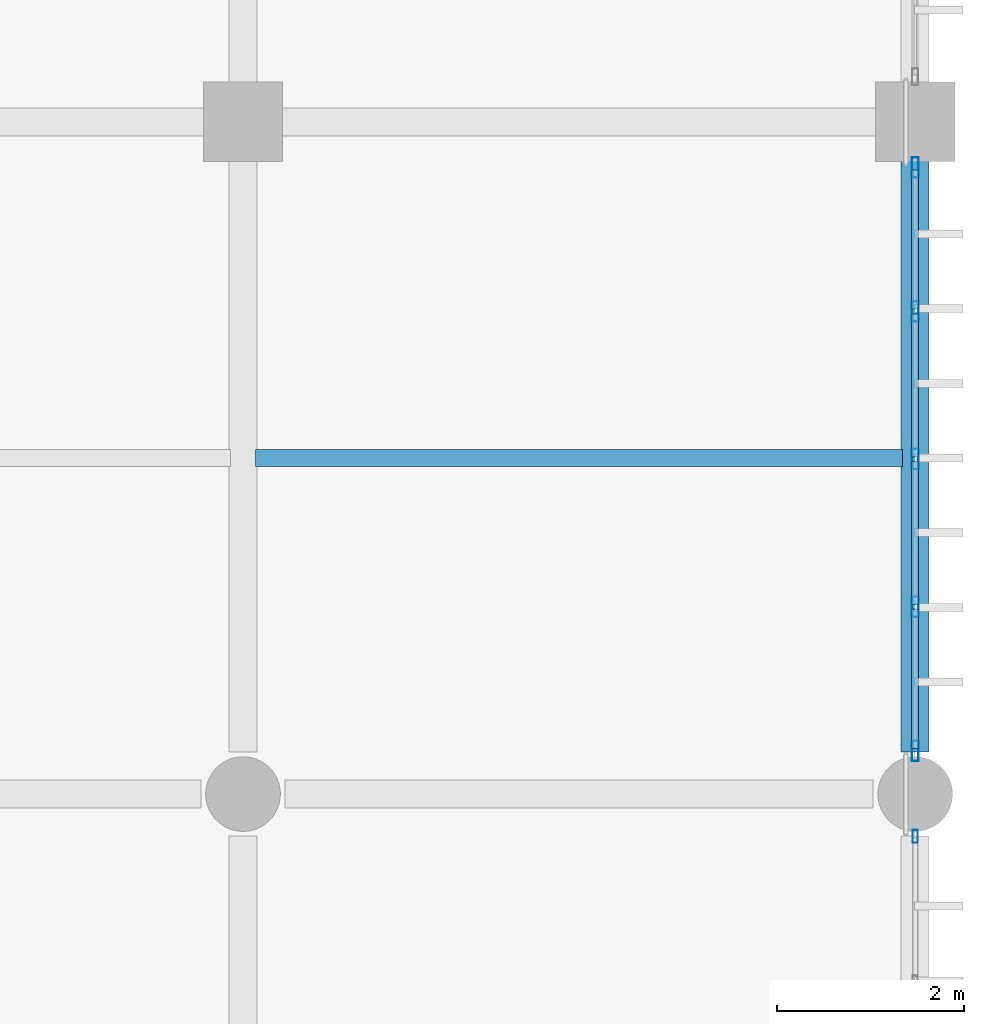
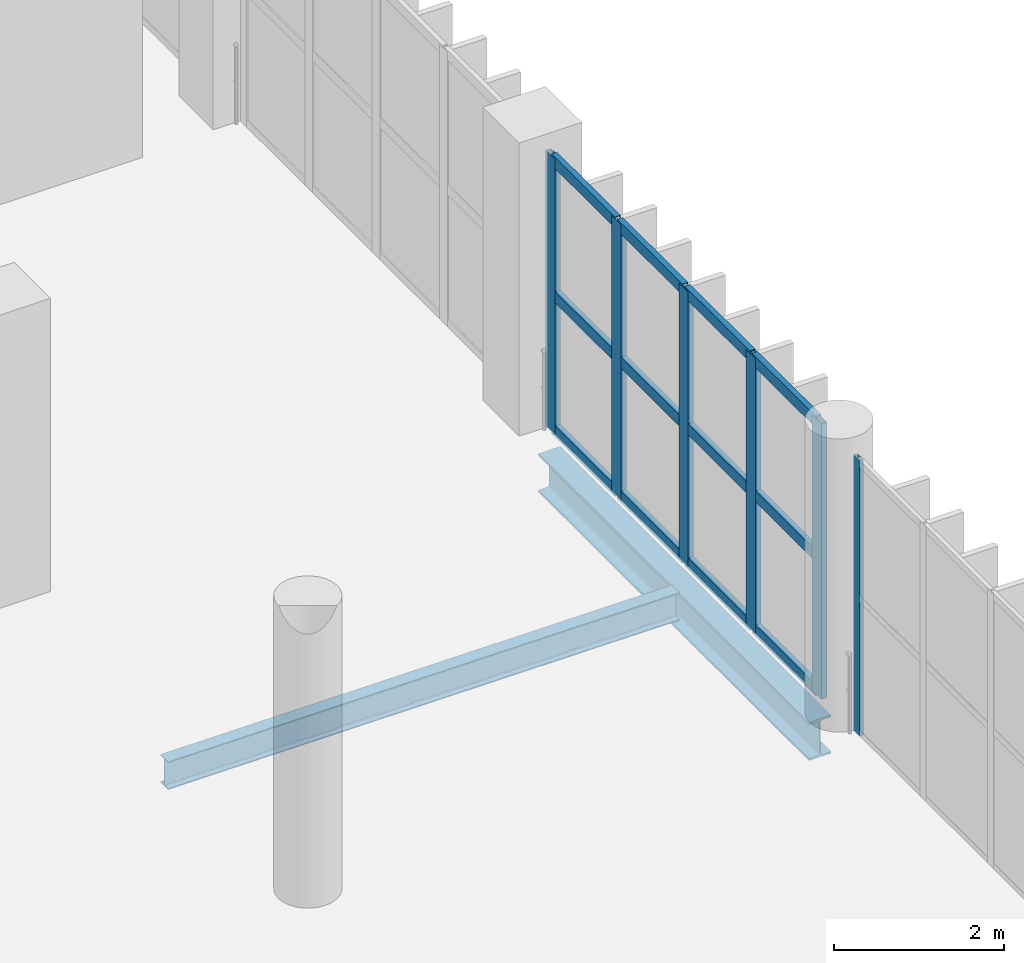
# One storey, part 86 of 153: 18 members, 2 beams, 2 elements without a shape of their own.
"""IFC4 building model written with IfcOpenShell, lengths in metres."""

import ifcopenshell
import ifcopenshell.guid

model = None  # the IFC model being written
_history = None  # IfcOwnerHistory: only IFC2X3 demands one
_inside = {}  # id of a spatial element -> (the spatial element, [elements in it])
_under = {}  # id of a project, library or spatial element -> (it, [spatial elements below it])
_declared = {}  # id of a project -> (the project, [libraries it declares])
_typed = {}  # id of a type object -> (the type object, [elements of that type])
_made_of = {}  # id of a material, layer set ... -> (it, [elements and type objects made of it])


def new_model(schema):
    """Start an empty IFC model of exactly this schema.

    Asked for "IFC4X3", IfcOpenShell would pick the latest addendum, in which some entities
    have other attributes; the version numbers below select the first issue.
    IFC2X3 requires an IfcOwnerHistory on every rooted entity: one is made here for all.
    """
    global model, _history
    if schema == "IFC4X3":
        model = ifcopenshell.file(schema_version=(4, 3, 0, 0))
    else:
        model = ifcopenshell.file(schema=schema)
    _inside.clear()
    _under.clear()
    _declared.clear()
    _typed.clear()
    _made_of.clear()
    _history = None
    if model.schema == "IFC2X3":
        org = make("IfcOrganization", Name="unknown")
        user = make(
            "IfcPersonAndOrganization",
            ThePerson=make("IfcPerson", FamilyName="unknown"),
            TheOrganization=org,
        )
        app = make(
            "IfcApplication",
            ApplicationDeveloper=org,
            Version="unknown",
            ApplicationFullName="unknown",
            ApplicationIdentifier="unknown",
        )
        _history = make(
            "IfcOwnerHistory",
            OwningUser=user,
            OwningApplication=app,
            ChangeAction="ADDED",
            CreationDate=0,
        )
    return model


def make(cls, **values):
    """One entity of the class cls with the attributes given. An attribute that is None is left unset."""
    return model.create_entity(
        cls, **{name: value for name, value in values.items() if value is not None}
    )


def rooted(cls, **values):
    """An entity with a GlobalId (a new one), such as an element, a storey or a relation."""
    return make(cls, GlobalId=ifcopenshell.guid.new(), OwnerHistory=_history, **values)


def si_unit(unit_type, name, prefix=None):
    """IfcSIUnit, for example si_unit("LENGTHUNIT", "METRE", prefix="MILLI")."""
    return make("IfcSIUnit", UnitType=unit_type, Prefix=prefix, Name=name)


def assignment(units):
    """IfcUnitAssignment: the units of a project."""
    return None if units is None else make("IfcUnitAssignment", Units=units)


def point(xyz):
    """IfcCartesianPoint."""
    return None if xyz is None else make("IfcCartesianPoint", Coordinates=xyz)


def direction(xyz):
    """IfcDirection."""
    return None if xyz is None else make("IfcDirection", DirectionRatios=xyz)


def frame(location, z_axis=None, x_axis=None):
    """IfcAxis2Placement3D, a coordinate frame: its origin and axes. An axis left out is left unset."""
    return make(
        "IfcAxis2Placement3D",
        Location=point(location),
        Axis=direction(z_axis),
        RefDirection=direction(x_axis),
    )


def frame_2d(location, x_axis=None):
    """IfcAxis2Placement2D, a coordinate frame in the plane: its origin and x axis."""
    return make(
        "IfcAxis2Placement2D", Location=point(location), RefDirection=direction(x_axis)
    )


def origin():
    """The frame at (0, 0, 0) with its axes left unset."""
    return frame((0.0, 0.0, 0.0))


def origin_2d():
    """The frame at (0, 0) in the plane with its x axis left unset."""
    return frame_2d((0.0, 0.0))


def place(relative_to, where):
    """IfcLocalPlacement: puts the frame where relative to a parent placement (None: the world)."""
    return make(
        "IfcLocalPlacement", PlacementRelTo=relative_to, RelativePlacement=where
    )


def context(
    kind, dimensions, precision=None, world=None, true_north=None, identifier=None
):
    """IfcGeometricRepresentationContext, for example the 3D "Model" context."""
    return make(
        "IfcGeometricRepresentationContext",
        ContextIdentifier=identifier,
        ContextType=kind,
        CoordinateSpaceDimension=dimensions,
        Precision=precision,
        WorldCoordinateSystem=world,
        TrueNorth=true_north,
    )


def subcontext(parent, identifier, kind, view, scale=None):
    """IfcGeometricRepresentationSubContext, for example "Body" below "Model"."""
    return make(
        "IfcGeometricRepresentationSubContext",
        ContextIdentifier=identifier,
        ContextType=kind,
        ParentContext=parent,
        TargetScale=scale,
        TargetView=view,
    )


def project(units=None, contexts=None):
    """IfcProject with its units and contexts."""
    return rooted(
        "IfcProject",
        Name="project",
        RepresentationContexts=contexts,
        UnitsInContext=assignment(units),
    )


def spatial(cls, under=None, at=None, **own):
    """A site, building, storey or space (cls), placed at a placement, below another one or the project."""
    s = rooted(cls, ObjectPlacement=at, **own)
    if under is not None:
        _under.setdefault(under.id(), (under, []))[1].append(s)
    return s


def profile(cls, at=None, kind="AREA", **sizes):
    """A parametric profile (cls). Its sizes go by their IFC names, for example OverallWidth=200.0."""
    return make(cls, ProfileType=kind, Position=at, **sizes)


def hollow_rectangle(**sizes):
    """IfcRectangleHollowProfileDef."""
    return profile("IfcRectangleHollowProfileDef", **sizes)


def i_section(**sizes):
    """IfcIShapeProfileDef."""
    return profile("IfcIShapeProfileDef", **sizes)


def extrude(swept, where, along, depth):
    """IfcExtrudedAreaSolid: the profile swept, set in the frame where, extruded along a direction by depth."""
    return make(
        "IfcExtrudedAreaSolid",
        SweptArea=swept,
        Position=where,
        ExtrudedDirection=direction(along),
        Depth=depth,
    )


def shape(context_of_items, identifier, shape_type, items):
    """IfcShapeRepresentation: the items that make up one representation, for example the "Body"."""
    return make(
        "IfcShapeRepresentation",
        ContextOfItems=context_of_items,
        RepresentationIdentifier=identifier,
        RepresentationType=shape_type,
        Items=items,
    )


def material(Name=None, Category=None):
    """IfcMaterial."""
    return make("IfcMaterial", Name=Name, Category=Category)


def material_profile(
    of_material, cross_section, Name=None, Category=None, Priority=None
):
    """IfcMaterialProfile: a cross section and its material."""
    return make(
        "IfcMaterialProfile",
        Name=Name,
        Material=of_material,
        Profile=cross_section,
        Priority=Priority,
        Category=Category,
    )


def profile_set(profiles, Name=None, composite=None):
    """IfcMaterialProfileSet."""
    return make(
        "IfcMaterialProfileSet",
        Name=Name,
        MaterialProfiles=profiles,
        CompositeProfile=composite,
    )


def made_of(thing, what):
    """Note that an element or type object is made of a material, layer set ...; save() writes the relation."""
    if what is not None:
        _made_of.setdefault(what.id(), (what, []))[1].append(thing)
    return thing


def type_object(cls, material=None, **own):
    """A type object (cls), such as IfcWallType, which elements share."""
    return made_of(rooted(cls, **own), material)


def element(
    cls,
    number,
    at=None,
    inside=None,
    cuts=None,
    type_object=None,
    material=None,
    context=None,
    identifier="Body",
    shape_type=None,
    held_by="IfcProductDefinitionShape",
    body=None,
    shapes=None,
    **own,
):
    """One element of the class cls, such as IfcWall. Its Tag is "e" and its number.

    at: its placement. inside: the storey or other place that contains it. cuts: it is an
    opening in that element (IfcRelVoidsElement). A single representation is given by context,
    identifier, shape_type and body (its items); several are given by shapes. held_by: the class
    of the entity that holds the representations. save() writes the other relations.
    """
    e = rooted(cls, Tag="e%d" % number, ObjectPlacement=at, **own)
    if body is not None:
        shapes = [shape(context, identifier, shape_type, body)]
    if shapes is not None:
        e.Representation = make(held_by, Representations=shapes)
    if inside is not None:
        _inside.setdefault(inside.id(), (inside, []))[1].append(e)
    if cuts is not None:
        rooted(
            "IfcRelVoidsElement", RelatingBuildingElement=cuts, RelatedOpeningElement=e
        )
    if type_object is not None:
        _typed.setdefault(type_object.id(), (type_object, []))[1].append(e)
    return made_of(e, material)


def aggregate(whole, parts):
    """IfcRelAggregates: a whole, such as a stair, and the parts it consists of."""
    return rooted("IfcRelAggregates", RelatingObject=whole, RelatedObjects=parts)


def save(model, path):
    """Write the relations noted so far, then the file.

    IfcRelAggregates (storeys below a building ...), IfcRelContainedInSpatialStructure (elements
    in a storey), IfcRelDefinesByType, IfcRelAssociatesMaterial and IfcRelDeclares: one each for
    every whole, place, type object, material and project.
    """
    for whole, parts in _under.values():
        aggregate(whole, parts)
    for where, things in _inside.values():
        rooted(
            "IfcRelContainedInSpatialStructure",
            RelatedElements=things,
            RelatingStructure=where,
        )
    for kind, things in _typed.values():
        rooted("IfcRelDefinesByType", RelatedObjects=things, RelatingType=kind)
    for what, things in _made_of.values():
        rooted("IfcRelAssociatesMaterial", RelatedObjects=things, RelatingMaterial=what)
    for by, libraries in _declared.values():
        rooted("IfcRelDeclares", RelatingContext=by, RelatedDefinitions=libraries)
    model.write(path)


model = new_model("IFC4")

# Units and contexts
model_context = context("Model", 3, precision=1e-05, world=origin(), true_north=direction((0.0, 1.0)))
body_context = subcontext(model_context, "Body", "Model", "MODEL_VIEW")
ifc_project = project(units=[si_unit("LENGTHUNIT", "METRE"), si_unit("AREAUNIT", "SQUARE_METRE"), si_unit("VOLUMEUNIT", "CUBIC_METRE"), si_unit("PLANEANGLEUNIT", "RADIAN"), si_unit("MASSUNIT", "GRAM", prefix="KILO")], contexts=[model_context])

# Site, building, storey
site_placement = place(None, origin())
site = spatial("IfcSite", under=ifc_project, at=site_placement, CompositionType="ELEMENT")
building_placement = place(site_placement, origin())
building = spatial("IfcBuilding", under=site, at=building_placement, Name="Qandorah Velis Arena", CompositionType="ELEMENT")
storey_placement = place(building_placement, frame((0.0, 0.0, 5.39990234375)))
storey = spatial("IfcBuildingStorey", under=building, at=storey_placement, Name="L01", CompositionType="ELEMENT", Elevation=5.39990234375)

# Curtain wall, member
ifc_material_1 = material(Name="Solar-control low-E double glazing", Category="glass")
curtain_wall_type_1 = type_object("IfcCurtainWallType", Name="ARC-CW-SYS20", PredefinedType="USERDEFINED", material=ifc_material_1)
curtain_wall_1_placement = place(storey_placement, origin())
curtain_wall_1 = element("IfcCurtainWall", 1, at=curtain_wall_1_placement, inside=storey, type_object=curtain_wall_type_1, Name="Unitised curtain wall L01-140", ObjectType="UNITISED CURTAIN WALL", PredefinedType="USERDEFINED")
ifc_material_2 = material(Name="Champagne-bronze anodized aluminium 6063-T6", Category="aluminium")
ifc_material_profile_1 = material_profile(ifc_material_2, hollow_rectangle(XDim=0.054931640625, YDim=0.139892578125, WallThickness=0.0029296875, at=origin_2d()), Name="ALU MULLION 55x140")
ifc_profile_set_1 = profile_set([ifc_material_profile_1], Name="Champagne-bronze anodized aluminium 6063-T6")
member_type_1 = type_object("IfcMemberType", Name="ARC-CWM-140", PredefinedType="MULLION", material=ifc_profile_set_1)
member_1_placement = place(storey_placement, frame((172.800048828125, 64.347412109375, -0.014892578125), z_axis=(0.0, 0.0, 1.0), x_axis=(-1.0, 0.0, 0.0)))
member_1 = element("IfcMember", 2, at=member_1_placement, type_object=member_type_1, Name="CW20 mullion 5", PredefinedType="MULLION", context=body_context, shape_type="SweptSolid", body=[
    extrude(hollow_rectangle(XDim=0.054931640625, YDim=0.139892578125, WallThickness=0.0029296875, at=origin_2d()), origin(), (0.0, 0.0, 1.0), 3.949951171875),
])
aggregate(curtain_wall_1, [member_1])

# Curtain wall, members
curtain_wall_type_2 = type_object("IfcCurtainWallType", Name="ARC-CW-SYS21", PredefinedType="USERDEFINED", material=ifc_material_1)
curtain_wall_2_placement = place(storey_placement, origin())
curtain_wall_2 = element("IfcCurtainWall", 3, at=curtain_wall_2_placement, inside=storey, type_object=curtain_wall_type_2, Name="Unitised curtain wall L01-141", ObjectType="UNITISED CURTAIN WALL", PredefinedType="USERDEFINED")
ifc_material_profile_2 = material_profile(ifc_material_2, hollow_rectangle(XDim=0.074951171875, YDim=0.219970703125, WallThickness=0.00390625, at=origin_2d()), Name="ALU MULLION 75x220")
ifc_profile_set_2 = profile_set([ifc_material_profile_2], Name="Champagne-bronze anodized aluminium 6063-T6")
member_type_2 = type_object("IfcMemberType", Name="ARC-CWM-220", PredefinedType="MULLION", material=ifc_profile_set_2)
member_2_placement = place(storey_placement, frame((172.800048828125, 65.262451171875, -0.014892578125), z_axis=(0.0, 0.0, 1.0), x_axis=(-1.0, 0.0, 0.0)))
member_2 = element("IfcMember", 4, at=member_2_placement, type_object=member_type_2, Name="CW21 mullion 1", PredefinedType="MULLION", context=body_context, shape_type="SweptSolid", body=[
    extrude(hollow_rectangle(XDim=0.074951171875, YDim=0.219970703125, WallThickness=0.00390625, at=origin_2d()), origin(), (0.0, 0.0, 1.0), 3.949951171875),
])
member_3_placement = place(storey_placement, frame((172.800048828125, 66.80615234375, -0.014892578125), z_axis=(0.0, 0.0, 1.0), x_axis=(-1.0, 0.0, 0.0)))
member_3 = element("IfcMember", 5, at=member_3_placement, type_object=member_type_2, Name="CW21 mullion 2", PredefinedType="MULLION", context=body_context, shape_type="SweptSolid", body=[
    extrude(hollow_rectangle(XDim=0.074951171875, YDim=0.219970703125, WallThickness=0.00390625, at=origin_2d()), origin(), (0.0, 0.0, 1.0), 3.949951171875),
])
member_4_placement = place(storey_placement, frame((172.800048828125, 68.387451171875, -0.014892578125), z_axis=(0.0, 0.0, 1.0), x_axis=(-1.0, 0.0, 0.0)))
member_4 = element("IfcMember", 6, at=member_4_placement, type_object=member_type_2, Name="CW21 mullion 3", PredefinedType="MULLION", context=body_context, shape_type="SweptSolid", body=[
    extrude(hollow_rectangle(XDim=0.074951171875, YDim=0.219970703125, WallThickness=0.00390625, at=origin_2d()), origin(), (0.0, 0.0, 1.0), 3.949951171875),
])
member_5_placement = place(storey_placement, frame((172.800048828125, 69.96875, -0.014892578125), z_axis=(0.0, 0.0, 1.0), x_axis=(-1.0, 0.0, 0.0)))
member_5 = element("IfcMember", 7, at=member_5_placement, type_object=member_type_2, Name="CW21 mullion 4", PredefinedType="MULLION", context=body_context, shape_type="SweptSolid", body=[
    extrude(hollow_rectangle(XDim=0.074951171875, YDim=0.219970703125, WallThickness=0.00390625, at=origin_2d()), origin(), (0.0, 0.0, 1.0), 3.949951171875),
])
member_6_placement = place(storey_placement, frame((172.800048828125, 71.512451171875, -0.014892578125), z_axis=(0.0, 0.0, 1.0), x_axis=(-1.0, 0.0, 0.0)))
member_6 = element("IfcMember", 8, at=member_6_placement, type_object=member_type_2, Name="CW21 mullion 5", PredefinedType="MULLION", context=body_context, shape_type="SweptSolid", body=[
    extrude(hollow_rectangle(XDim=0.074951171875, YDim=0.219970703125, WallThickness=0.00390625, at=origin_2d()), origin(), (0.0, 0.0, 1.0), 3.949951171875),
])
ifc_material_profile_3 = material_profile(ifc_material_2, hollow_rectangle(XDim=0.074951171875, YDim=0.159912109375, WallThickness=0.00341796875, at=origin_2d()), Name="ALU TRANSOM 75x160")
ifc_profile_set_3 = profile_set([ifc_material_profile_3], Name="Champagne-bronze anodized aluminium 6063-T6")
member_type_3 = type_object("IfcMemberType", Name="ARC-CWT-160", PredefinedType="USERDEFINED", material=ifc_profile_set_3)
member_7_placement = place(storey_placement, frame((172.800048828125, 65.2880859375, 0.03759765625), z_axis=(0.0, 1.0, 0.0), x_axis=(-1.0, 0.0, 0.0)))
member_7 = element("IfcMember", 9, at=member_7_placement, type_object=member_type_3, Name="CW21 transom 1.1", ObjectType="TRANSOM", PredefinedType="USERDEFINED", context=body_context, shape_type="SweptSolid", body=[
    extrude(hollow_rectangle(XDim=0.074951171875, YDim=0.159912109375, WallThickness=0.00341796875, at=origin_2d()), origin(), (0.0, 0.0, 1.0), 1.49267578125),
])
member_8_placement = place(storey_placement, frame((172.800048828125, 65.2880859375, 1.960205078125), z_axis=(0.0, 1.0, 0.0), x_axis=(-1.0, 0.0, 0.0)))
member_8 = element("IfcMember", 10, at=member_8_placement, type_object=member_type_3, Name="CW21 transom 1.2", ObjectType="TRANSOM", PredefinedType="USERDEFINED", context=body_context, shape_type="SweptSolid", body=[
    extrude(hollow_rectangle(XDim=0.074951171875, YDim=0.159912109375, WallThickness=0.00341796875, at=origin_2d()), origin(), (0.0, 0.0, 1.0), 1.49267578125),
])
member_9_placement = place(storey_placement, frame((172.800048828125, 65.2880859375, 3.882568359375), z_axis=(0.0, 1.0, 0.0), x_axis=(-1.0, 0.0, 0.0)))
member_9 = element("IfcMember", 11, at=member_9_placement, type_object=member_type_3, Name="CW21 transom 1.3", ObjectType="TRANSOM", PredefinedType="USERDEFINED", context=body_context, shape_type="SweptSolid", body=[
    extrude(hollow_rectangle(XDim=0.074951171875, YDim=0.159912109375, WallThickness=0.00341796875, at=origin_2d()), origin(), (0.0, 0.0, 1.0), 1.49267578125),
])
member_10_placement = place(storey_placement, frame((172.800048828125, 66.831787109375, 0.03759765625), z_axis=(0.0, 1.0, 0.0), x_axis=(-1.0, 0.0, 0.0)))
member_10 = element("IfcMember", 12, at=member_10_placement, type_object=member_type_3, Name="CW21 transom 2.1", ObjectType="TRANSOM", PredefinedType="USERDEFINED", context=body_context, shape_type="SweptSolid", body=[
    extrude(hollow_rectangle(XDim=0.074951171875, YDim=0.159912109375, WallThickness=0.00341796875, at=origin_2d()), origin(), (0.0, 0.0, 1.0), 1.5302734375),
])
member_11_placement = place(storey_placement, frame((172.800048828125, 66.831787109375, 1.960205078125), z_axis=(0.0, 1.0, 0.0), x_axis=(-1.0, 0.0, 0.0)))
member_11 = element("IfcMember", 13, at=member_11_placement, type_object=member_type_3, Name="CW21 transom 2.2", ObjectType="TRANSOM", PredefinedType="USERDEFINED", context=body_context, shape_type="SweptSolid", body=[
    extrude(hollow_rectangle(XDim=0.074951171875, YDim=0.159912109375, WallThickness=0.00341796875, at=origin_2d()), origin(), (0.0, 0.0, 1.0), 1.5302734375),
])
member_12_placement = place(storey_placement, frame((172.800048828125, 66.831787109375, 3.882568359375), z_axis=(0.0, 1.0, 0.0), x_axis=(-1.0, 0.0, 0.0)))
member_12 = element("IfcMember", 14, at=member_12_placement, type_object=member_type_3, Name="CW21 transom 2.3", ObjectType="TRANSOM", PredefinedType="USERDEFINED", context=body_context, shape_type="SweptSolid", body=[
    extrude(hollow_rectangle(XDim=0.074951171875, YDim=0.159912109375, WallThickness=0.00341796875, at=origin_2d()), origin(), (0.0, 0.0, 1.0), 1.5302734375),
])
member_13_placement = place(storey_placement, frame((172.800048828125, 68.4130859375, 0.03759765625), z_axis=(0.0, 1.0, 0.0), x_axis=(-1.0, 0.0, 0.0)))
member_13 = element("IfcMember", 15, at=member_13_placement, type_object=member_type_3, Name="CW21 transom 3.1", ObjectType="TRANSOM", PredefinedType="USERDEFINED", context=body_context, shape_type="SweptSolid", body=[
    extrude(hollow_rectangle(XDim=0.074951171875, YDim=0.159912109375, WallThickness=0.00341796875, at=origin_2d()), origin(), (0.0, 0.0, 1.0), 1.530029296875),
])
member_14_placement = place(storey_placement, frame((172.800048828125, 68.4130859375, 1.960205078125), z_axis=(0.0, 1.0, 0.0), x_axis=(-1.0, 0.0, 0.0)))
member_14 = element("IfcMember", 16, at=member_14_placement, type_object=member_type_3, Name="CW21 transom 3.2", ObjectType="TRANSOM", PredefinedType="USERDEFINED", context=body_context, shape_type="SweptSolid", body=[
    extrude(hollow_rectangle(XDim=0.074951171875, YDim=0.159912109375, WallThickness=0.00341796875, at=origin_2d()), origin(), (0.0, 0.0, 1.0), 1.530029296875),
])
member_15_placement = place(storey_placement, frame((172.800048828125, 68.4130859375, 3.882568359375), z_axis=(0.0, 1.0, 0.0), x_axis=(-1.0, 0.0, 0.0)))
member_15 = element("IfcMember", 17, at=member_15_placement, type_object=member_type_3, Name="CW21 transom 3.3", ObjectType="TRANSOM", PredefinedType="USERDEFINED", context=body_context, shape_type="SweptSolid", body=[
    extrude(hollow_rectangle(XDim=0.074951171875, YDim=0.159912109375, WallThickness=0.00341796875, at=origin_2d()), origin(), (0.0, 0.0, 1.0), 1.530029296875),
])
member_16_placement = place(storey_placement, frame((172.800048828125, 69.994140625, 0.03759765625), z_axis=(0.0, 1.0, 0.0), x_axis=(-1.0, 0.0, 0.0)))
member_16 = element("IfcMember", 18, at=member_16_placement, type_object=member_type_3, Name="CW21 transom 4.1", ObjectType="TRANSOM", PredefinedType="USERDEFINED", context=body_context, shape_type="SweptSolid", body=[
    extrude(hollow_rectangle(XDim=0.074951171875, YDim=0.159912109375, WallThickness=0.00341796875, at=origin_2d()), origin(), (0.0, 0.0, 1.0), 1.492919921875),
])
member_17_placement = place(storey_placement, frame((172.800048828125, 69.994140625, 1.960205078125), z_axis=(0.0, 1.0, 0.0), x_axis=(-1.0, 0.0, 0.0)))
member_17 = element("IfcMember", 19, at=member_17_placement, type_object=member_type_3, Name="CW21 transom 4.2", ObjectType="TRANSOM", PredefinedType="USERDEFINED", context=body_context, shape_type="SweptSolid", body=[
    extrude(hollow_rectangle(XDim=0.074951171875, YDim=0.159912109375, WallThickness=0.00341796875, at=origin_2d()), origin(), (0.0, 0.0, 1.0), 1.492919921875),
])
member_18_placement = place(storey_placement, frame((172.800048828125, 69.994140625, 3.882568359375), z_axis=(0.0, 1.0, 0.0), x_axis=(-1.0, 0.0, 0.0)))
member_18 = element("IfcMember", 20, at=member_18_placement, type_object=member_type_3, Name="CW21 transom 4.3", ObjectType="TRANSOM", PredefinedType="USERDEFINED", context=body_context, shape_type="SweptSolid", body=[
    extrude(hollow_rectangle(XDim=0.074951171875, YDim=0.159912109375, WallThickness=0.00341796875, at=origin_2d()), origin(), (0.0, 0.0, 1.0), 1.492919921875),
])
aggregate(curtain_wall_2, [member_2, member_3, member_4, member_5, member_6, member_7, member_8, member_9, member_10, member_11, member_12, member_13, member_14, member_15, member_16, member_17, member_18])

# Beams
ifc_material_3 = material(Name="Steel S355", Category="steel")
ifc_material_profile_4 = material_profile(ifc_material_3, i_section(OverallWidth=0.300048828125, OverallDepth=0.550048828125, WebThickness=0.014892578125, FlangeThickness=0.029052734375, FilletRadius=0.027099609375, at=origin_2d()), Name="HEB 550")
ifc_profile_set_4 = profile_set([ifc_material_profile_4], Name="Steel S355")
beam_type_1 = type_object("IfcBeamType", Name="STR-BM-HEB550", PredefinedType="BEAM", material=ifc_profile_set_4)
beam_1_placement = place(storey_placement, frame((172.800048828125, 65.25, -0.635009765625), z_axis=(0.0, 1.0, 0.0), x_axis=(-1.0, 0.0, 0.0)))
element("IfcBeam", 21, at=beam_1_placement, inside=storey, type_object=beam_type_1, Name="Primary floor girder L01 Y-423", PredefinedType="BEAM", context=body_context, shape_type="SweptSolid", body=[
    extrude(i_section(OverallWidth=0.300048828125, OverallDepth=0.550048828125, WebThickness=0.014892578125, FlangeThickness=0.029052734375, FilletRadius=0.027099609375, at=origin_2d()), origin(), (0.0, 0.0, 1.0), 6.35009765625),
])
ifc_material_profile_5 = material_profile(ifc_material_3, i_section(OverallWidth=0.179931640625, OverallDepth=0.39990234375, WebThickness=0.008544921875, FlangeThickness=0.013427734375, FilletRadius=0.02099609375, at=origin_2d()), Name="IPE 400")
ifc_profile_set_5 = profile_set([ifc_material_profile_5], Name="Steel S355")
beam_type_2 = type_object("IfcBeamType", Name="STR-JST-IPE400", PredefinedType="JOIST", material=ifc_profile_set_5)
beam_2_placement = place(storey_placement, frame((165.735107421875, 68.39990234375, -0.559814453125), z_axis=(1.0, 0.0, 0.0), x_axis=(0.0, 1.0, 0.0)))
element("IfcBeam", 22, at=beam_2_placement, inside=storey, type_object=beam_type_2, Name="Secondary floor joist L01-153", PredefinedType="JOIST", context=body_context, shape_type="SweptSolid", body=[
    extrude(i_section(OverallWidth=0.179931640625, OverallDepth=0.39990234375, WebThickness=0.008544921875, FlangeThickness=0.013427734375, FilletRadius=0.02099609375, at=origin_2d()), origin(), (0.0, 0.0, 1.0), 6.929931640625),
])

save(model, "model.ifc")
